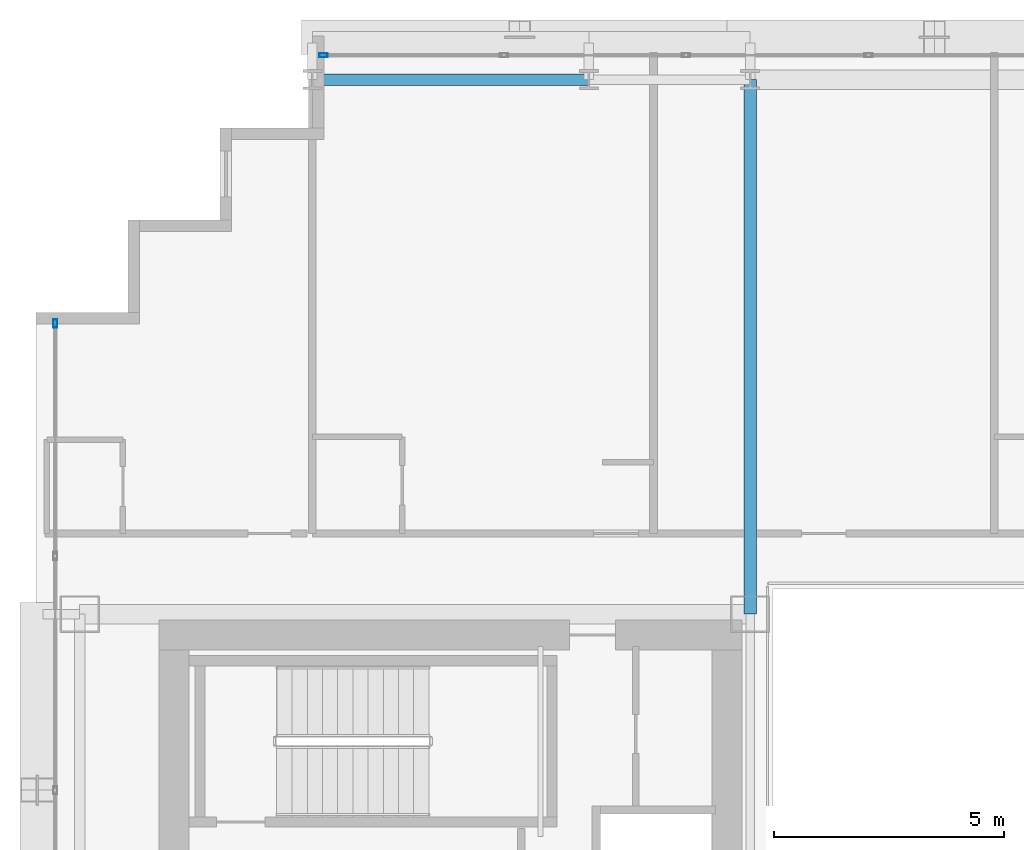
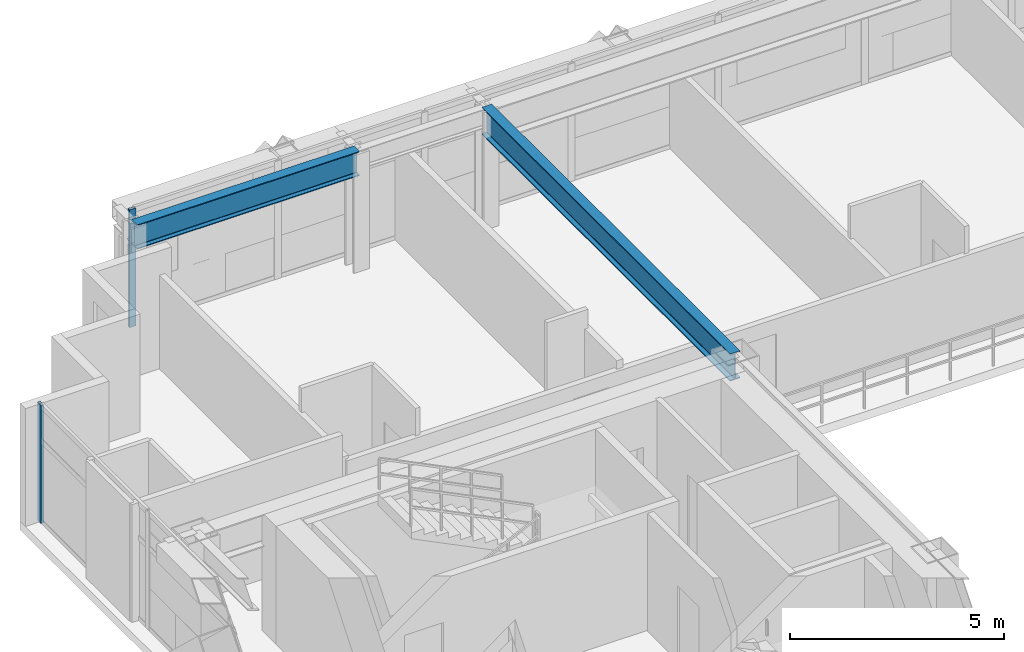
# One storey, part 17 of 34: 2 beams, 2 members, 2 elements without a shape of their own.
"""IFC4 building model written with IfcOpenShell, lengths in metres."""

from ifc_helpers import new_model, si_unit, direction, frame, origin, origin_2d, place, context, subcontext, project, spatial, hollow_rectangle, i_section, extrude, source, transform, mapped, material, layer, layer_set, material_profile, profile_set, type_object, element, aggregate, save


model = new_model("IFC4")

# Units and contexts
model_context = context("Model", 3, precision=1e-05, world=origin(), true_north=direction((0.0, 1.0)))
body_context = subcontext(model_context, "Body", "Model", "MODEL_VIEW")
ifc_project = project(units=[si_unit("LENGTHUNIT", "METRE"), si_unit("AREAUNIT", "SQUARE_METRE"), si_unit("VOLUMEUNIT", "CUBIC_METRE"), si_unit("PLANEANGLEUNIT", "RADIAN"), si_unit("MASSUNIT", "GRAM", prefix="KILO")], contexts=[model_context])

# Site, building, storey
site_placement = place(None, origin())
site = spatial("IfcSite", under=ifc_project, at=site_placement, CompositionType="ELEMENT")
building_placement = place(site_placement, origin())
building = spatial("IfcBuilding", under=site, at=building_placement, Name="Ocotamira Hotel", CompositionType="ELEMENT")
storey_placement = place(building_placement, frame((0.0, 0.0, 111.60009765625)))
storey = spatial("IfcBuildingStorey", under=building, at=storey_placement, Name="L27", CompositionType="ELEMENT", Elevation=111.60009765625)

# Beams
ifc_material_1 = material(Name="Steel ASTM A992 Grade 50", Category="steel")
ifc_material_profile_1 = material_profile(ifc_material_1, i_section(OverallWidth=0.256103515625, OverallDepth=0.693115234375, WebThickness=0.014404296875, FlangeThickness=0.023681640625, FilletRadius=0.01611328125, at=origin_2d()), Name="W27X114")
ifc_profile_set_1 = profile_set([ifc_material_profile_1], Name="Steel ASTM A992 Grade 50")
beam_type_1 = type_object("IfcBeamType", Name="BM-PRIM-W27X114", PredefinedType="BEAM", material=ifc_profile_set_1)
shared_shape_1 = source(origin(), body_context, "Body", "SweptSolid", [
    extrude(i_section(OverallWidth=0.256103515625, OverallDepth=0.693115234375, WebThickness=0.014404296875, FlangeThickness=0.023681640625, FilletRadius=0.01611328125, at=origin_2d()), origin(), (0.0, 0.0, 1.0), 6.0),
])
beam_1_placement = place(storey_placement, frame((14.0, 49.050048828125, 3.013427734375), z_axis=(1.0, 0.0, 0.0), x_axis=(0.0, 1.0, 0.0)))
element("IfcBeam", 1, at=beam_1_placement, inside=storey, type_object=beam_type_1, Name="L27 Girder Y49.05 X14-20", PredefinedType="BEAM", context=body_context, shape_type="MappedRepresentation", body=[
    mapped(shared_shape_1, transform((0.0, 0.0, 0.0), scale=1.0)),
])
ifc_material_profile_2 = material_profile(ifc_material_1, i_section(OverallWidth=0.26611328125, OverallDepth=0.779052734375, WebThickness=0.0166015625, FlangeThickness=0.030029296875, FilletRadius=0.01806640625, at=origin_2d()), Name="W30X148")
ifc_profile_set_2 = profile_set([ifc_material_profile_2], Name="Steel ASTM A992 Grade 50")
beam_type_2 = type_object("IfcBeamType", Name="BM-GIRD-W30X148", PredefinedType="BEAM", material=ifc_profile_set_2)
shared_shape_2 = source(origin(), body_context, "Body", "SweptSolid", [
    extrude(i_section(OverallWidth=0.26611328125, OverallDepth=0.779052734375, WebThickness=0.0166015625, FlangeThickness=0.030029296875, FilletRadius=0.01806640625, at=origin_2d()), origin(), (0.0, 0.0, 1.0), 11.60009765625),
])
beam_2_placement = place(storey_placement, frame((23.5, 37.449951171875, 2.970458984375), z_axis=(0.0, 1.0, 0.0), x_axis=(-1.0, 0.0, 0.0)))
element("IfcBeam", 2, at=beam_2_placement, inside=storey, type_object=beam_type_2, Name="L27 Beam X23.5 Y37.45-49.05", PredefinedType="BEAM", context=body_context, shape_type="MappedRepresentation", body=[
    mapped(shared_shape_2, transform((0.0, 0.0, 0.0), scale=1.0)),
])

# Curtain wall, member
ifc_material_2 = material(Name="Anodised pale-metal aluminium and solar glass", Category="aluminium")
ifc_layer = layer(ifc_material_2, 0.179931640625)
ifc_layer_set = layer_set([ifc_layer], Name="Anodised pale-metal aluminium and solar glass")
curtain_wall_type = type_object("IfcCurtainWallType", Name="CW-SYS3-Z2", PredefinedType="NOTDEFINED", material=ifc_layer_set)
curtain_wall_1_placement = place(storey_placement, origin())
curtain_wall_1 = element("IfcCurtainWall", 3, at=curtain_wall_1_placement, inside=storey, type_object=curtain_wall_type, Name="L27 Curtain Wall CW-3 CW-L27-N", PredefinedType="NOTDEFINED")
ifc_material_3 = material(Name="Anodised pale-metal aluminium 6063-T6", Category="aluminium")
ifc_material_profile_3 = material_profile(ifc_material_3, hollow_rectangle(XDim=0.080078125, YDim=0.179931640625, WallThickness=0.006103515625, at=origin_2d()), Name="HSS180X80X6")
ifc_profile_set_3 = profile_set([ifc_material_profile_3], Name="Anodised pale-metal aluminium 6063-T6")
member_type = type_object("IfcMemberType", Name="CWM-180X75", PredefinedType="MULLION", material=ifc_profile_set_3)
shared_shape_3 = source(origin(), body_context, "Body", "SweptSolid", [
    extrude(hollow_rectangle(XDim=0.080078125, YDim=0.179931640625, WallThickness=0.006103515625, at=origin_2d()), origin(), (0.0, 0.0, 1.0), 3.35986328125),
])
member_1_placement = place(storey_placement, frame((14.239990234375, 49.580078125, 0.0), z_axis=(0.0, 0.0, 1.0), x_axis=(0.0, 1.0, 0.0)))
member_1 = element("IfcMember", 4, at=member_1_placement, type_object=member_type, Name="CW-3 mullion 1", PredefinedType="MULLION", context=body_context, shape_type="MappedRepresentation", body=[
    mapped(shared_shape_3, transform((0.0, 0.0, 0.0), scale=1.0)),
])
aggregate(curtain_wall_1, [member_1])

curtain_wall_2_placement = place(storey_placement, origin())
curtain_wall_2 = element("IfcCurtainWall", 5, at=curtain_wall_2_placement, inside=storey, type_object=curtain_wall_type, Name="L27 Curtain Wall CW-3 CW-L27-W", PredefinedType="NOTDEFINED")
member_2_placement = place(storey_placement, frame((8.419921875, 43.760009765625, 0.0), z_axis=(0.0, 0.0, 1.0), x_axis=(-1.0, 0.0, 0.0)))
member_2 = element("IfcMember", 6, at=member_2_placement, type_object=member_type, Name="CW-3 mullion 8", PredefinedType="MULLION", context=body_context, shape_type="MappedRepresentation", body=[
    mapped(shared_shape_3, transform((0.0, 0.0, 0.0), scale=1.0)),
])
aggregate(curtain_wall_2, [member_2])

save(model, "model.ifc")
